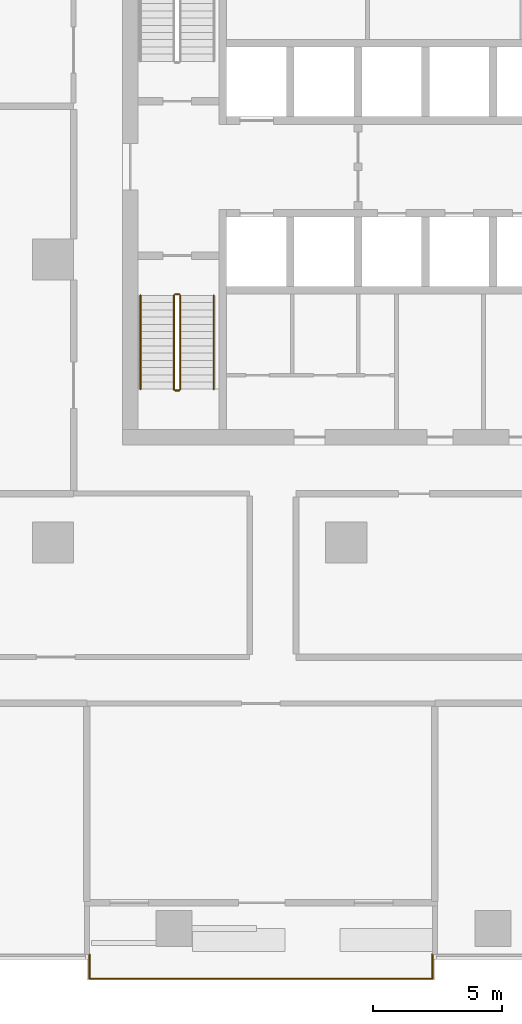
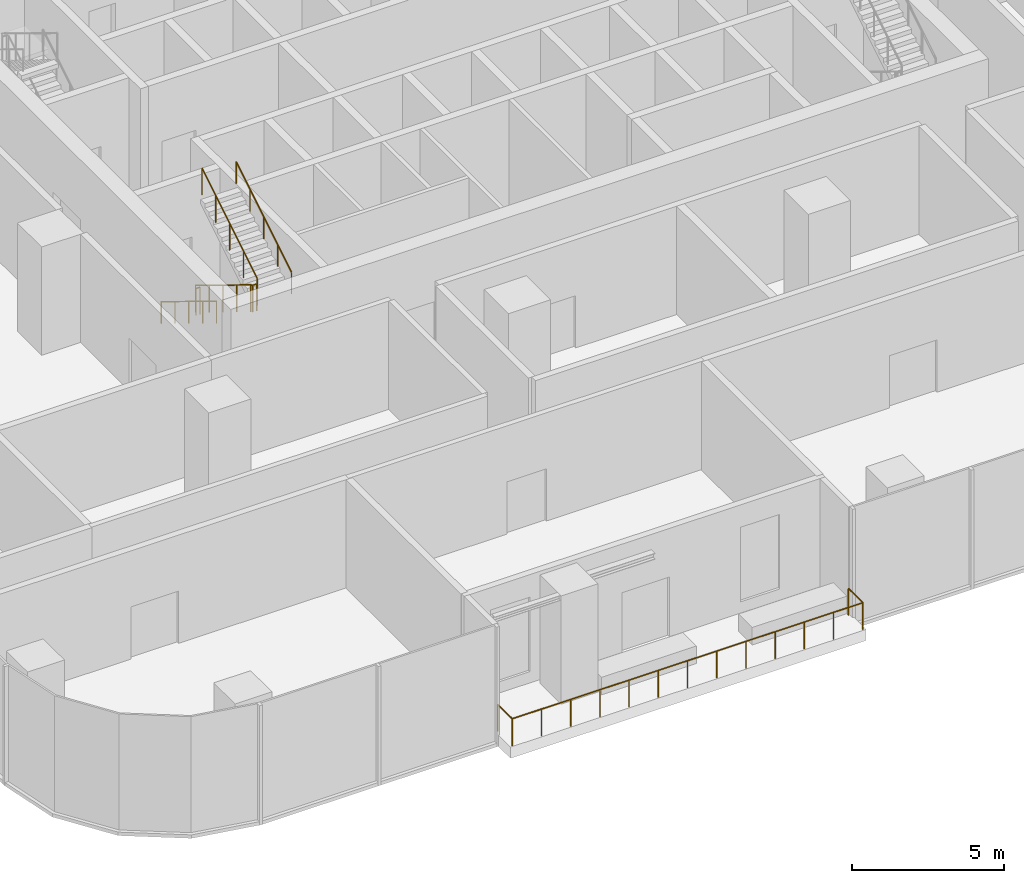
# One storey, part 12 of 15: 6 railings.
"""IFC4 building model written with IfcOpenShell, lengths in metres."""

from ifc_helpers import new_model, si_unit, direction, frame, origin, origin_2d, place, context, subcontext, project, spatial, circle, extrude, material, type_object, element, save


model = new_model("IFC4")

# Units and contexts
model_context = context("Model", 3, precision=1e-05, world=origin(), true_north=direction((0.0, 1.0)))
body_context = subcontext(model_context, "Body", "Model", "MODEL_VIEW")
ifc_project = project(units=[si_unit("LENGTHUNIT", "METRE"), si_unit("AREAUNIT", "SQUARE_METRE"), si_unit("VOLUMEUNIT", "CUBIC_METRE"), si_unit("PLANEANGLEUNIT", "RADIAN"), si_unit("MASSUNIT", "GRAM", prefix="KILO")], contexts=[model_context])

# Site, building, storey
site_placement = place(None, origin())
site = spatial("IfcSite", under=ifc_project, at=site_placement, CompositionType="ELEMENT")
building_placement = place(site_placement, origin())
building = spatial("IfcBuilding", under=site, at=building_placement, Name="Mopane Tessera Tower", CompositionType="ELEMENT")
storey_placement = place(building_placement, frame((0.0, 0.0, 79.0)))
storey = spatial("IfcBuildingStorey", under=building, at=storey_placement, Name="L15", CompositionType="ELEMENT", Elevation=79.0)

# Railings
ifc_material_1 = material(Name="Powder-coated steel balustrade", Category="steel")
railing_type_1 = type_object("IfcRailingType", Name="Escape stair guard 1100 mm", PredefinedType="GUARDRAIL", material=ifc_material_1)
railing_1_placement = place(storey_placement, frame((-12.39990234375, -1.39990234375, 0.17138671875)))
element("IfcRailing", 1, at=railing_1_placement, inside=storey, type_object=railing_type_1, Name="L15 ST1 stair guard 1", PredefinedType="GUARDRAIL", context=body_context, shape_type="SweptSolid", body=[
    extrude(circle(Radius=0.02392578125, at=origin_2d()), frame((0.0, 0.0, 1.076171875), z_axis=(0.0, -0.852865859571, 0.52213008492), x_axis=(1.0, 0.0, 0.0)), (0.0, 0.0, 1.0), 4.26806640625),
    extrude(circle(Radius=0.02392578125, at=origin_2d()), frame((0.0, -3.64013671875, 3.3046875), z_axis=(0.705375805398, -0.708833529934, 0.0), x_axis=(0.708833529934, 0.705375805398, 0.0)), (0.0, 0.0, 1.0), 0.070556640625),
    extrude(circle(Radius=0.02392578125, at=origin_2d()), frame((0.0498046875, -3.690185546875, 3.3046875), z_axis=(1.0, 0.0, 0.0), x_axis=(0.0, 1.0, 0.0)), (0.0, 0.0, 1.0), 0.150146484375),
    extrude(circle(Radius=0.02099609375, at=origin_2d()), origin(), (0.0, 0.0, 1.0), 1.052001953125),
    extrude(circle(Radius=0.02099609375, at=origin_2d()), frame((0.0, -0.91015625, 0.55712890625)), (0.0, 0.0, 1.0), 1.052001953125),
    extrude(circle(Radius=0.02099609375, at=origin_2d()), frame((0.0, -1.820068359375, 1.1142578125)), (0.0, 0.0, 1.0), 1.052001953125),
    extrude(circle(Radius=0.02099609375, at=origin_2d()), frame((0.0, -2.72998046875, 1.67138671875)), (0.0, 0.0, 1.0), 1.052001953125),
    extrude(circle(Radius=0.02099609375, at=origin_2d()), frame((0.0, -3.64013671875, 2.228515625)), (0.0, 0.0, 1.0), 1.052001953125),
    extrude(circle(Radius=0.02099609375, at=origin_2d()), frame((0.0498046875, -3.690185546875, 2.228515625)), (0.0, 0.0, 1.0), 1.052001953125),
    extrude(circle(Radius=0.02099609375, at=origin_2d()), frame((0.199951171875, -3.690185546875, 2.228515625)), (0.0, 0.0, 1.0), 1.052001953125),
])
railing_2_placement = place(storey_placement, frame((-12.14990234375, -5.0400390625, 2.571533203125)))
element("IfcRailing", 2, at=railing_2_placement, inside=storey, type_object=railing_type_1, Name="L15 ST1 stair guard 2", PredefinedType="GUARDRAIL", context=body_context, shape_type="SweptSolid", body=[
    extrude(circle(Radius=0.02392578125, at=origin_2d()), frame((0.0, 0.0, 1.076171875), z_axis=(0.0, 0.852865859571, 0.52213008492), x_axis=(-1.0, 0.0, 0.0)), (0.0, 0.0, 1.0), 4.26806640625),
    extrude(circle(Radius=0.02099609375, at=origin_2d()), origin(), (0.0, 0.0, 1.0), 1.052001953125),
    extrude(circle(Radius=0.02099609375, at=origin_2d()), frame((0.0, 0.91015625, 0.55712890625)), (0.0, 0.0, 1.0), 1.052001953125),
    extrude(circle(Radius=0.02099609375, at=origin_2d()), frame((0.0, 1.820068359375, 1.1142578125)), (0.0, 0.0, 1.0), 1.052001953125),
    extrude(circle(Radius=0.02099609375, at=origin_2d()), frame((0.0, 2.72998046875, 1.67138671875)), (0.0, 0.0, 1.0), 1.052001953125),
    extrude(circle(Radius=0.02099609375, at=origin_2d()), frame((0.0, 3.64013671875, 2.228515625)), (0.0, 0.0, 1.0), 1.052001953125),
])
railing_3_placement = place(storey_placement, frame((-12.35009765625, -1.35009765625, 0.0)))
element("IfcRailing", 3, at=railing_3_placement, inside=storey, type_object=railing_type_1, Name="L15 ST1 stair guard 3", PredefinedType="GUARDRAIL", context=body_context, shape_type="SweptSolid", body=[
    extrude(circle(Radius=0.02392578125, at=origin_2d()), frame((0.0, 0.0, 1.076171875), z_axis=(1.0, 0.0, 0.0), x_axis=(0.0, 1.0, 0.0)), (0.0, 0.0, 1.0), 0.150146484375),
    extrude(circle(Radius=0.02099609375, at=origin_2d()), origin(), (0.0, 0.0, 1.0), 1.052001953125),
    extrude(circle(Radius=0.02099609375, at=origin_2d()), frame((0.150146484375, 0.0, 0.0)), (0.0, 0.0, 1.0), 1.052001953125),
])
ifc_material_2 = material(Name="Powder-coated steel balustrade", Category="steel")
railing_type_2 = type_object("IfcRailingType", Name="Escape stair handrail 900 mm", PredefinedType="HANDRAIL", material=ifc_material_2)
railing_4_placement = place(storey_placement, frame((-13.699951171875, -1.39990234375, 0.17138671875)))
element("IfcRailing", 4, at=railing_4_placement, inside=storey, type_object=railing_type_2, Name="L15 ST1 stair handrail 1", PredefinedType="HANDRAIL", context=body_context, shape_type="SweptSolid", body=[
    extrude(circle(Radius=0.02392578125, at=origin_2d()), frame((0.0, 0.0, 0.8759765625), z_axis=(0.0, -0.852865859571, 0.52213008492), x_axis=(1.0, 0.0, 0.0)), (0.0, 0.0, 1.0), 4.26806640625),
    extrude(circle(Radius=0.02099609375, at=origin_2d()), origin(), (0.0, 0.0, 1.0), 0.851806640625),
    extrude(circle(Radius=0.02099609375, at=origin_2d()), frame((0.0, -0.91015625, 0.55712890625)), (0.0, 0.0, 1.0), 0.851806640625),
    extrude(circle(Radius=0.02099609375, at=origin_2d()), frame((0.0, -1.820068359375, 1.1142578125)), (0.0, 0.0, 1.0), 0.851806640625),
    extrude(circle(Radius=0.02099609375, at=origin_2d()), frame((0.0, -2.72998046875, 1.67138671875)), (0.0, 0.0, 1.0), 0.851806640625),
    extrude(circle(Radius=0.02099609375, at=origin_2d()), frame((0.0, -3.64013671875, 2.228515625)), (0.0, 0.0, 1.0), 0.851806640625),
])
railing_5_placement = place(storey_placement, frame((-10.85009765625, -5.0400390625, 2.571533203125)))
element("IfcRailing", 5, at=railing_5_placement, inside=storey, type_object=railing_type_2, Name="L15 ST1 stair handrail 2", PredefinedType="HANDRAIL", context=body_context, shape_type="SweptSolid", body=[
    extrude(circle(Radius=0.02392578125, at=origin_2d()), frame((0.0, 0.0, 0.8759765625), z_axis=(0.0, 0.852865859571, 0.52213008492), x_axis=(-1.0, 0.0, 0.0)), (0.0, 0.0, 1.0), 4.26806640625),
    extrude(circle(Radius=0.02099609375, at=origin_2d()), origin(), (0.0, 0.0, 1.0), 0.851806640625),
    extrude(circle(Radius=0.02099609375, at=origin_2d()), frame((0.0, 0.91015625, 0.55712890625)), (0.0, 0.0, 1.0), 0.851806640625),
    extrude(circle(Radius=0.02099609375, at=origin_2d()), frame((0.0, 1.820068359375, 1.1142578125)), (0.0, 0.0, 1.0), 0.851806640625),
    extrude(circle(Radius=0.02099609375, at=origin_2d()), frame((0.0, 2.72998046875, 1.67138671875)), (0.0, 0.0, 1.0), 0.851806640625),
    extrude(circle(Radius=0.02099609375, at=origin_2d()), frame((0.0, 3.64013671875, 2.228515625)), (0.0, 0.0, 1.0), 0.851806640625),
])
ifc_material_3 = material(Name="Stainless steel S316", Category="steel")
railing_type_3 = type_object("IfcRailingType", Name="Terrace guard 1100", PredefinedType="GUARDRAIL", material=ifc_material_3)
railing_6_placement = place(storey_placement, frame((-15.681884765625, -27.0, 0.0)))
element("IfcRailing", 6, at=railing_6_placement, inside=storey, type_object=railing_type_3, Name="e:nw:L15:N3:guard", PredefinedType="GUARDRAIL", context=body_context, shape_type="SweptSolid", body=[
    extrude(circle(Radius=0.02392578125, at=origin_2d()), frame((0.0, 0.0, 1.076171875), z_axis=(0.0, -1.0, 0.0), x_axis=(1.0, 0.0, 0.0)), (0.0, 0.0, 1.0), 0.949951171875),
    extrude(circle(Radius=0.02392578125, at=origin_2d()), frame((0.0, -0.949951171875, 1.076171875), z_axis=(1.0, 0.0, 0.0), x_axis=(0.0, 1.0, 0.0)), (0.0, 0.0, 1.0), 13.327392578125),
    extrude(circle(Radius=0.02392578125, at=origin_2d()), frame((13.327392578125, -0.949951171875, 1.076171875), z_axis=(0.0, 1.0, 0.0), x_axis=(-1.0, 0.0, 0.0)), (0.0, 0.0, 1.0), 0.949951171875),
    extrude(circle(Radius=0.02099609375, at=origin_2d()), origin(), (0.0, 0.0, 1.0), 1.052001953125),
    extrude(circle(Radius=0.02099609375, at=origin_2d()), frame((0.0, -0.949951171875, 0.0)), (0.0, 0.0, 1.0), 1.052001953125),
    extrude(circle(Radius=0.02099609375, at=origin_2d()), frame((1.110595703125, -0.949951171875, 0.0)), (0.0, 0.0, 1.0), 1.052001953125),
    extrude(circle(Radius=0.02099609375, at=origin_2d()), frame((2.22119140625, -0.949951171875, 0.0)), (0.0, 0.0, 1.0), 1.052001953125),
    extrude(circle(Radius=0.02099609375, at=origin_2d()), frame((3.331787109375, -0.949951171875, 0.0)), (0.0, 0.0, 1.0), 1.052001953125),
    extrude(circle(Radius=0.02099609375, at=origin_2d()), frame((4.4423828125, -0.949951171875, 0.0)), (0.0, 0.0, 1.0), 1.052001953125),
    extrude(circle(Radius=0.02099609375, at=origin_2d()), frame((5.552978515625, -0.949951171875, 0.0)), (0.0, 0.0, 1.0), 1.052001953125),
    extrude(circle(Radius=0.02099609375, at=origin_2d()), frame((6.66357421875, -0.949951171875, 0.0)), (0.0, 0.0, 1.0), 1.052001953125),
    extrude(circle(Radius=0.02099609375, at=origin_2d()), frame((7.7744140625, -0.949951171875, 0.0)), (0.0, 0.0, 1.0), 1.052001953125),
    extrude(circle(Radius=0.02099609375, at=origin_2d()), frame((8.885009765625, -0.949951171875, 0.0)), (0.0, 0.0, 1.0), 1.052001953125),
    extrude(circle(Radius=0.02099609375, at=origin_2d()), frame((9.99560546875, -0.949951171875, 0.0)), (0.0, 0.0, 1.0), 1.052001953125),
    extrude(circle(Radius=0.02099609375, at=origin_2d()), frame((11.106201171875, -0.949951171875, 0.0)), (0.0, 0.0, 1.0), 1.052001953125),
    extrude(circle(Radius=0.02099609375, at=origin_2d()), frame((12.216796875, -0.949951171875, 0.0)), (0.0, 0.0, 1.0), 1.052001953125),
    extrude(circle(Radius=0.02099609375, at=origin_2d()), frame((13.327392578125, -0.949951171875, 0.0)), (0.0, 0.0, 1.0), 1.052001953125),
    extrude(circle(Radius=0.02099609375, at=origin_2d()), frame((13.327392578125, 0.0, 0.0)), (0.0, 0.0, 1.0), 1.052001953125),
])

save(model, "model.ifc")
